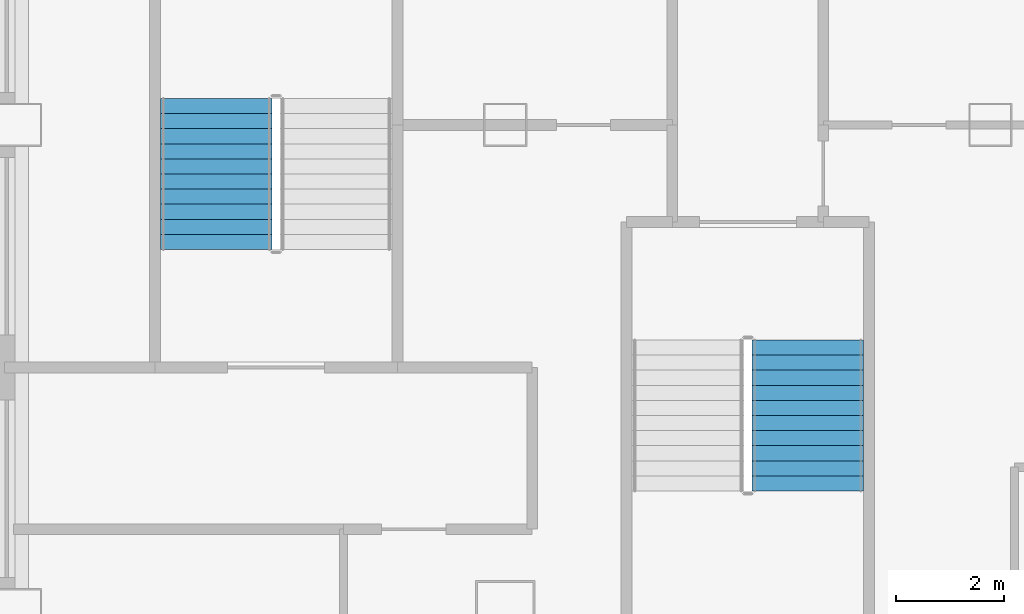
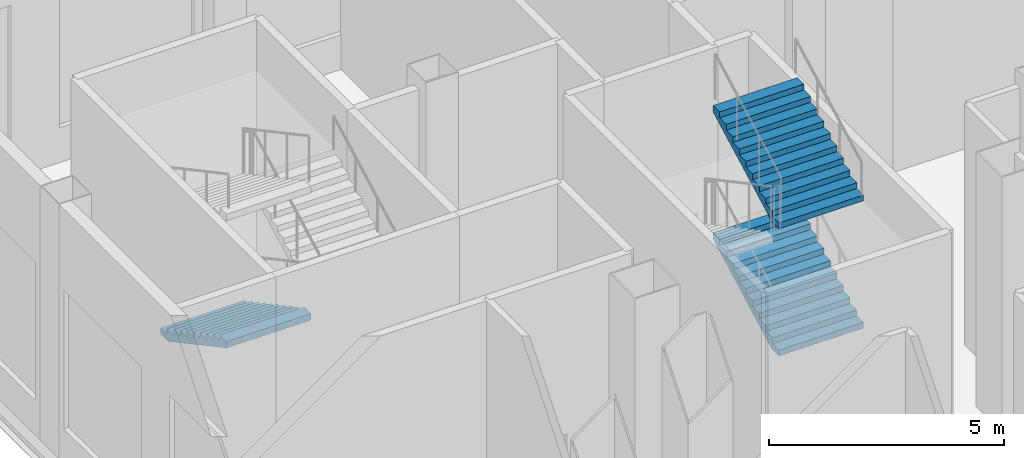
# One storey, part 15 of 26: 3 stair flights, 2 elements without a shape of their own.
"""IFC4 building model written with IfcOpenShell, lengths in metres."""

from ifc_helpers import new_model, si_unit, direction, frame, origin, place, context, subcontext, project, spatial, polygons, material, type_object, element, aggregate, save


model = new_model("IFC4")

# Units and contexts
model_context = context("Model", 3, precision=1e-05, world=origin(), true_north=direction((0.0, 1.0)))
body_context = subcontext(model_context, "Body", "Model", "MODEL_VIEW")
ifc_project = project(units=[si_unit("LENGTHUNIT", "METRE"), si_unit("AREAUNIT", "SQUARE_METRE"), si_unit("VOLUMEUNIT", "CUBIC_METRE"), si_unit("PLANEANGLEUNIT", "RADIAN"), si_unit("MASSUNIT", "GRAM", prefix="KILO")], contexts=[model_context])

# Site, building, storey
site_placement = place(None, origin())
site = spatial("IfcSite", under=ifc_project, at=site_placement, CompositionType="ELEMENT")
building_placement = place(site_placement, origin())
building = spatial("IfcBuilding", under=site, at=building_placement, Name="Caravel Reach Hotel and Residences", CompositionType="ELEMENT")
storey_placement = place(building_placement, frame((0.0, 0.0, 17.39990234375)))
storey = spatial("IfcBuildingStorey", under=building, at=storey_placement, Name="L03", CompositionType="ELEMENT", Elevation=17.39990234375)

# Stair, stair flights
ifc_material_1 = material(Name="Concrete C40", Category="concrete")
stair_type = type_object("IfcStairType", Name="Core stair", PredefinedType="HALF_TURN_STAIR", material=ifc_material_1)
stair_1_placement = place(storey_placement, origin())
stair_1 = element("IfcStair", 1, at=stair_1_placement, inside=storey, type_object=stair_type, Name="L03 Exit stair P1", PredefinedType="HALF_TURN_STAIR")
ifc_material_2 = material(Name="Concrete C40", Category="concrete")
stair_flight_type = type_object("IfcStairFlightType", Name="Core stair flight", PredefinedType="STRAIGHT", material=ifc_material_2)
stair_flight_1_placement = place(storey_placement, frame((10.110107421875, 38.2099609375, 1.650146484375), z_axis=(0.0, 0.0, 1.0), x_axis=(0.0, 1.0, 0.0)))
stair_flight_1 = element("IfcStairFlight", 2, at=stair_flight_1_placement, type_object=stair_flight_type, Name="ST-P1 flight 2", NumberOfRisers=11, NumberOfTreads=10, PredefinedType="STRAIGHT", RiserHeight=0.15, TreadLength=0.28, context=body_context, shape_type="Tessellation", body=[
    polygons([(0.3174408016601862, 1.0350341796875, 0.0), (0.3174408016601862, 0.6900227864583333, 0.0), (0.3174408016601862, 0.34501139322916663, 0.0), (0.3174408016601862, 0.0, 0.0), (0.3174408016601862, -0.34501139322916674, 0.0), (0.3174408016601862, -0.6900227864583333, 0.0), (0.3174408016601862, -1.0350341796875, 0.0), (2.801, 1.0350341796875, 1.329942427682043), (2.801, 0.6900227864583333, 1.329942427682043), (2.801, 0.34501139322916663, 1.329942427682043), (2.801, 0.0, 1.329942427682043), (2.801, -0.34501139322916674, 1.329942427682043), (2.801, -0.6900227864583333, 1.329942427682043), (2.801, -1.0350341796875, 1.329942427682043), (2.801, 1.0350341796875, 1.5), (2.801, 0.6900227864583333, 1.5), (2.801, 0.34501139322916663, 1.5), (2.801, 0.0, 1.5), (2.801, -0.34501139322916674, 1.5), (2.801, -0.6900227864583333, 1.5), (2.801, -1.0350341796875, 1.5), (2.5200000000000005, 1.0350341796875, 1.5), (2.5200000000000005, 0.6900227864583333, 1.5), (2.5200000000000005, 0.34501139322916663, 1.5), (2.5200000000000005, 0.0, 1.5), (2.5200000000000005, -0.34501139322916674, 1.5), (2.5200000000000005, -0.6900227864583333, 1.5), (2.5200000000000005, -1.0350341796875, 1.5), (2.5200000000000005, 1.0350341796875, 1.3499999999999999), (2.5200000000000005, 0.6900227864583333, 1.3499999999999999), (2.5200000000000005, 0.34501139322916663, 1.3499999999999999), (2.5200000000000005, 0.0, 1.3499999999999999), (2.5200000000000005, -0.34501139322916674, 1.3499999999999999), (2.5200000000000005, -0.6900227864583333, 1.3499999999999999), (2.5200000000000005, -1.0350341796875, 1.3499999999999999), (2.24, 1.0350341796875, 1.3499999999999999), (2.24, 0.6900227864583333, 1.3499999999999999), (2.24, 0.34501139322916663, 1.3499999999999999), (2.24, 0.0, 1.3499999999999999), (2.24, -0.34501139322916674, 1.3499999999999999), (2.24, -0.6900227864583333, 1.3499999999999999), (2.24, -1.0350341796875, 1.3499999999999999), (2.24, 1.0350341796875, 1.2), (2.24, 0.6900227864583333, 1.2), (2.24, 0.34501139322916663, 1.2), (2.24, 0.0, 1.2), (2.24, -0.34501139322916674, 1.2), (2.24, -0.6900227864583333, 1.2), (2.24, -1.0350341796875, 1.2), (1.9600000000000002, 1.0350341796875, 1.2), (1.9600000000000002, 0.6900227864583333, 1.2), (1.9600000000000002, 0.34501139322916663, 1.2), (1.9600000000000002, 0.0, 1.2), (1.9600000000000002, -0.34501139322916674, 1.2), (1.9600000000000002, -0.6900227864583333, 1.2), (1.9600000000000002, -1.0350341796875, 1.2), (1.9600000000000002, 1.0350341796875, 1.05), (1.9600000000000002, 0.6900227864583333, 1.05), (1.9600000000000002, 0.34501139322916663, 1.05), (1.9600000000000002, 0.0, 1.05), (1.9600000000000002, -0.34501139322916674, 1.05), (1.9600000000000002, -0.6900227864583333, 1.05), (1.9600000000000002, -1.0350341796875, 1.05), (1.6800000000000002, 1.0350341796875, 1.05), (1.6800000000000002, 0.6900227864583333, 1.05), (1.6800000000000002, 0.34501139322916663, 1.05), (1.6800000000000002, 0.0, 1.05), (1.6800000000000002, -0.34501139322916674, 1.05), (1.6800000000000002, -0.6900227864583333, 1.05), (1.6800000000000002, -1.0350341796875, 1.05), (1.6800000000000002, 1.0350341796875, 0.8999999999999999), (1.6800000000000002, 0.6900227864583333, 0.8999999999999999), (1.6800000000000002, 0.34501139322916663, 0.8999999999999999), (1.6800000000000002, 0.0, 0.8999999999999999), (1.6800000000000002, -0.34501139322916674, 0.8999999999999999), (1.6800000000000002, -0.6900227864583333, 0.8999999999999999), (1.6800000000000002, -1.0350341796875, 0.8999999999999999), (1.4000000000000001, 1.0350341796875, 0.8999999999999999), (1.4000000000000001, 0.6900227864583333, 0.8999999999999999), (1.4000000000000001, 0.34501139322916663, 0.8999999999999999), (1.4000000000000001, 0.0, 0.8999999999999999), (1.4000000000000001, -0.34501139322916674, 0.8999999999999999), (1.4000000000000001, -0.6900227864583333, 0.8999999999999999), (1.4000000000000001, -1.0350341796875, 0.8999999999999999), (1.4000000000000001, 1.0350341796875, 0.75), (1.4000000000000001, 0.6900227864583333, 0.75), (1.4000000000000001, 0.34501139322916663, 0.75), (1.4000000000000001, 0.0, 0.75), (1.4000000000000001, -0.34501139322916674, 0.75), (1.4000000000000001, -0.6900227864583333, 0.75), (1.4000000000000001, -1.0350341796875, 0.75), (1.12, 1.0350341796875, 0.75), (1.12, 0.6900227864583333, 0.75), (1.12, 0.34501139322916663, 0.75), (1.12, 0.0, 0.75), (1.12, -0.34501139322916674, 0.75), (1.12, -0.6900227864583333, 0.75), (1.12, -1.0350341796875, 0.75), (1.12, 1.0350341796875, 0.6), (1.12, 0.6900227864583333, 0.6), (1.12, 0.34501139322916663, 0.6), (1.12, 0.0, 0.6), (1.12, -0.34501139322916674, 0.6), (1.12, -0.6900227864583333, 0.6), (1.12, -1.0350341796875, 0.6), (0.8400000000000001, 1.0350341796875, 0.6), (0.8400000000000001, 0.6900227864583333, 0.6), (0.8400000000000001, 0.34501139322916663, 0.6), (0.8400000000000001, 0.0, 0.6), (0.8400000000000001, -0.34501139322916674, 0.6), (0.8400000000000001, -0.6900227864583333, 0.6), (0.8400000000000001, -1.0350341796875, 0.6), (0.8400000000000001, 1.0350341796875, 0.44999999999999996), (0.8400000000000001, 0.6900227864583333, 0.44999999999999996), (0.8400000000000001, 0.34501139322916663, 0.44999999999999996), (0.8400000000000001, 0.0, 0.44999999999999996), (0.8400000000000001, -0.34501139322916674, 0.44999999999999996), (0.8400000000000001, -0.6900227864583333, 0.44999999999999996), (0.8400000000000001, -1.0350341796875, 0.44999999999999996), (0.56, 1.0350341796875, 0.44999999999999996), (0.56, 0.6900227864583333, 0.44999999999999996), (0.56, 0.34501139322916663, 0.44999999999999996), (0.56, 0.0, 0.44999999999999996), (0.56, -0.34501139322916674, 0.44999999999999996), (0.56, -0.6900227864583333, 0.44999999999999996), (0.56, -1.0350341796875, 0.44999999999999996), (0.56, 1.0350341796875, 0.3), (0.56, 0.6900227864583333, 0.3), (0.56, 0.34501139322916663, 0.3), (0.56, 0.0, 0.3), (0.56, -0.34501139322916674, 0.3), (0.56, -0.6900227864583333, 0.3), (0.56, -1.0350341796875, 0.3), (0.28, 1.0350341796875, 0.3), (0.28, 0.6900227864583333, 0.3), (0.28, 0.34501139322916663, 0.3), (0.28, 0.0, 0.3), (0.28, -0.34501139322916674, 0.3), (0.28, -0.6900227864583333, 0.3), (0.28, -1.0350341796875, 0.3), (0.28, 1.0350341796875, 0.15), (0.28, 0.6900227864583333, 0.15), (0.28, 0.34501139322916663, 0.15), (0.28, 0.0, 0.15), (0.28, -0.34501139322916674, 0.15), (0.28, -0.6900227864583333, 0.15), (0.28, -1.0350341796875, 0.15), (-0.001, 1.0350341796875, 0.15), (-0.001, 0.6900227864583333, 0.15), (-0.001, 0.34501139322916663, 0.15), (-0.001, 0.0, 0.15), (-0.001, -0.34501139322916674, 0.15), (-0.001, -0.6900227864583333, 0.15), (-0.001, -1.0350341796875, 0.15), (-0.001, 1.0350341796875, 0.0), (-0.001, 0.6900227864583333, 0.0), (-0.001, 0.34501139322916663, 0.0), (-0.001, 0.0, 0.0), (-0.001, -0.34501139322916674, 0.0), (-0.001, -0.6900227864583333, 0.0), (-0.001, -1.0350341796875, 0.0)], [[[155, 148, 141, 134, 127, 120, 113, 106, 99, 92, 85, 78, 71, 64, 57, 50, 43, 36, 29, 22, 15, 8, 1]], [[7, 14, 21, 28, 35, 42, 49, 56, 63, 70, 77, 84, 91, 98, 105, 112, 119, 126, 133, 140, 147, 154, 161]], [[1, 8, 9, 2]], [[2, 9, 10, 3]], [[3, 10, 11, 4]], [[4, 11, 12, 5]], [[5, 12, 13, 6]], [[6, 13, 14, 7]], [[8, 15, 16, 9]], [[9, 16, 17, 10]], [[10, 17, 18, 11]], [[11, 18, 19, 12]], [[12, 19, 20, 13]], [[13, 20, 21, 14]], [[15, 22, 23, 16]], [[16, 23, 24, 17]], [[17, 24, 25, 18]], [[18, 25, 26, 19]], [[19, 26, 27, 20]], [[20, 27, 28, 21]], [[22, 29, 30, 23]], [[23, 30, 31, 24]], [[24, 31, 32, 25]], [[25, 32, 33, 26]], [[26, 33, 34, 27]], [[27, 34, 35, 28]], [[29, 36, 37, 30]], [[30, 37, 38, 31]], [[31, 38, 39, 32]], [[32, 39, 40, 33]], [[33, 40, 41, 34]], [[34, 41, 42, 35]], [[36, 43, 44, 37]], [[37, 44, 45, 38]], [[38, 45, 46, 39]], [[39, 46, 47, 40]], [[40, 47, 48, 41]], [[41, 48, 49, 42]], [[43, 50, 51, 44]], [[44, 51, 52, 45]], [[45, 52, 53, 46]], [[46, 53, 54, 47]], [[47, 54, 55, 48]], [[48, 55, 56, 49]], [[50, 57, 58, 51]], [[51, 58, 59, 52]], [[52, 59, 60, 53]], [[53, 60, 61, 54]], [[54, 61, 62, 55]], [[55, 62, 63, 56]], [[57, 64, 65, 58]], [[58, 65, 66, 59]], [[59, 66, 67, 60]], [[60, 67, 68, 61]], [[61, 68, 69, 62]], [[62, 69, 70, 63]], [[64, 71, 72, 65]], [[65, 72, 73, 66]], [[66, 73, 74, 67]], [[67, 74, 75, 68]], [[68, 75, 76, 69]], [[69, 76, 77, 70]], [[71, 78, 79, 72]], [[72, 79, 80, 73]], [[73, 80, 81, 74]], [[74, 81, 82, 75]], [[75, 82, 83, 76]], [[76, 83, 84, 77]], [[78, 85, 86, 79]], [[79, 86, 87, 80]], [[80, 87, 88, 81]], [[81, 88, 89, 82]], [[82, 89, 90, 83]], [[83, 90, 91, 84]], [[85, 92, 93, 86]], [[86, 93, 94, 87]], [[87, 94, 95, 88]], [[88, 95, 96, 89]], [[89, 96, 97, 90]], [[90, 97, 98, 91]], [[92, 99, 100, 93]], [[93, 100, 101, 94]], [[94, 101, 102, 95]], [[95, 102, 103, 96]], [[96, 103, 104, 97]], [[97, 104, 105, 98]], [[99, 106, 107, 100]], [[100, 107, 108, 101]], [[101, 108, 109, 102]], [[102, 109, 110, 103]], [[103, 110, 111, 104]], [[104, 111, 112, 105]], [[106, 113, 114, 107]], [[107, 114, 115, 108]], [[108, 115, 116, 109]], [[109, 116, 117, 110]], [[110, 117, 118, 111]], [[111, 118, 119, 112]], [[113, 120, 121, 114]], [[114, 121, 122, 115]], [[115, 122, 123, 116]], [[116, 123, 124, 117]], [[117, 124, 125, 118]], [[118, 125, 126, 119]], [[120, 127, 128, 121]], [[121, 128, 129, 122]], [[122, 129, 130, 123]], [[123, 130, 131, 124]], [[124, 131, 132, 125]], [[125, 132, 133, 126]], [[127, 134, 135, 128]], [[128, 135, 136, 129]], [[129, 136, 137, 130]], [[130, 137, 138, 131]], [[131, 138, 139, 132]], [[132, 139, 140, 133]], [[134, 141, 142, 135]], [[135, 142, 143, 136]], [[136, 143, 144, 137]], [[137, 144, 145, 138]], [[138, 145, 146, 139]], [[139, 146, 147, 140]], [[141, 148, 149, 142]], [[142, 149, 150, 143]], [[143, 150, 151, 144]], [[144, 151, 152, 145]], [[145, 152, 153, 146]], [[146, 153, 154, 147]], [[148, 155, 156, 149]], [[149, 156, 157, 150]], [[150, 157, 158, 151]], [[151, 158, 159, 152]], [[152, 159, 160, 153]], [[153, 160, 161, 154]], [[155, 1, 2, 156]], [[156, 2, 3, 157]], [[157, 3, 4, 158]], [[158, 4, 5, 159]], [[159, 5, 6, 160]], [[160, 6, 7, 161]]], closed=True),
])
stair_flight_2_placement = place(storey_placement, frame((10.110107421875, 38.2099609375, 4.9501953125), z_axis=(0.0, 0.0, 1.0), x_axis=(0.0, 1.0, 0.0)))
stair_flight_2 = element("IfcStairFlight", 3, at=stair_flight_2_placement, type_object=stair_flight_type, Name="ST-P1 flight 4", NumberOfRisers=11, NumberOfTreads=10, PredefinedType="STRAIGHT", RiserHeight=0.15, TreadLength=0.28, context=body_context, shape_type="Tessellation", body=[
    polygons([(0.3174408016601862, 1.0350341796875, 0.0), (0.3174408016601862, 0.6900227864583333, 0.0), (0.3174408016601862, 0.34501139322916663, 0.0), (0.3174408016601862, 0.0, 0.0), (0.3174408016601862, -0.34501139322916674, 0.0), (0.3174408016601862, -0.6900227864583333, 0.0), (0.3174408016601862, -1.0350341796875, 0.0), (2.801, 1.0350341796875, 1.329942427682043), (2.801, 0.6900227864583333, 1.329942427682043), (2.801, 0.34501139322916663, 1.329942427682043), (2.801, 0.0, 1.329942427682043), (2.801, -0.34501139322916674, 1.329942427682043), (2.801, -0.6900227864583333, 1.329942427682043), (2.801, -1.0350341796875, 1.329942427682043), (2.801, 1.0350341796875, 1.5), (2.801, 0.6900227864583333, 1.5), (2.801, 0.34501139322916663, 1.5), (2.801, 0.0, 1.5), (2.801, -0.34501139322916674, 1.5), (2.801, -0.6900227864583333, 1.5), (2.801, -1.0350341796875, 1.5), (2.5200000000000005, 1.0350341796875, 1.5), (2.5200000000000005, 0.6900227864583333, 1.5), (2.5200000000000005, 0.34501139322916663, 1.5), (2.5200000000000005, 0.0, 1.5), (2.5200000000000005, -0.34501139322916674, 1.5), (2.5200000000000005, -0.6900227864583333, 1.5), (2.5200000000000005, -1.0350341796875, 1.5), (2.5200000000000005, 1.0350341796875, 1.3499999999999999), (2.5200000000000005, 0.6900227864583333, 1.3499999999999999), (2.5200000000000005, 0.34501139322916663, 1.3499999999999999), (2.5200000000000005, 0.0, 1.3499999999999999), (2.5200000000000005, -0.34501139322916674, 1.3499999999999999), (2.5200000000000005, -0.6900227864583333, 1.3499999999999999), (2.5200000000000005, -1.0350341796875, 1.3499999999999999), (2.24, 1.0350341796875, 1.3499999999999999), (2.24, 0.6900227864583333, 1.3499999999999999), (2.24, 0.34501139322916663, 1.3499999999999999), (2.24, 0.0, 1.3499999999999999), (2.24, -0.34501139322916674, 1.3499999999999999), (2.24, -0.6900227864583333, 1.3499999999999999), (2.24, -1.0350341796875, 1.3499999999999999), (2.24, 1.0350341796875, 1.2), (2.24, 0.6900227864583333, 1.2), (2.24, 0.34501139322916663, 1.2), (2.24, 0.0, 1.2), (2.24, -0.34501139322916674, 1.2), (2.24, -0.6900227864583333, 1.2), (2.24, -1.0350341796875, 1.2), (1.9600000000000002, 1.0350341796875, 1.2), (1.9600000000000002, 0.6900227864583333, 1.2), (1.9600000000000002, 0.34501139322916663, 1.2), (1.9600000000000002, 0.0, 1.2), (1.9600000000000002, -0.34501139322916674, 1.2), (1.9600000000000002, -0.6900227864583333, 1.2), (1.9600000000000002, -1.0350341796875, 1.2), (1.9600000000000002, 1.0350341796875, 1.05), (1.9600000000000002, 0.6900227864583333, 1.05), (1.9600000000000002, 0.34501139322916663, 1.05), (1.9600000000000002, 0.0, 1.05), (1.9600000000000002, -0.34501139322916674, 1.05), (1.9600000000000002, -0.6900227864583333, 1.05), (1.9600000000000002, -1.0350341796875, 1.05), (1.6800000000000002, 1.0350341796875, 1.05), (1.6800000000000002, 0.6900227864583333, 1.05), (1.6800000000000002, 0.34501139322916663, 1.05), (1.6800000000000002, 0.0, 1.05), (1.6800000000000002, -0.34501139322916674, 1.05), (1.6800000000000002, -0.6900227864583333, 1.05), (1.6800000000000002, -1.0350341796875, 1.05), (1.6800000000000002, 1.0350341796875, 0.8999999999999999), (1.6800000000000002, 0.6900227864583333, 0.8999999999999999), (1.6800000000000002, 0.34501139322916663, 0.8999999999999999), (1.6800000000000002, 0.0, 0.8999999999999999), (1.6800000000000002, -0.34501139322916674, 0.8999999999999999), (1.6800000000000002, -0.6900227864583333, 0.8999999999999999), (1.6800000000000002, -1.0350341796875, 0.8999999999999999), (1.4000000000000001, 1.0350341796875, 0.8999999999999999), (1.4000000000000001, 0.6900227864583333, 0.8999999999999999), (1.4000000000000001, 0.34501139322916663, 0.8999999999999999), (1.4000000000000001, 0.0, 0.8999999999999999), (1.4000000000000001, -0.34501139322916674, 0.8999999999999999), (1.4000000000000001, -0.6900227864583333, 0.8999999999999999), (1.4000000000000001, -1.0350341796875, 0.8999999999999999), (1.4000000000000001, 1.0350341796875, 0.75), (1.4000000000000001, 0.6900227864583333, 0.75), (1.4000000000000001, 0.34501139322916663, 0.75), (1.4000000000000001, 0.0, 0.75), (1.4000000000000001, -0.34501139322916674, 0.75), (1.4000000000000001, -0.6900227864583333, 0.75), (1.4000000000000001, -1.0350341796875, 0.75), (1.12, 1.0350341796875, 0.75), (1.12, 0.6900227864583333, 0.75), (1.12, 0.34501139322916663, 0.75), (1.12, 0.0, 0.75), (1.12, -0.34501139322916674, 0.75), (1.12, -0.6900227864583333, 0.75), (1.12, -1.0350341796875, 0.75), (1.12, 1.0350341796875, 0.6), (1.12, 0.6900227864583333, 0.6), (1.12, 0.34501139322916663, 0.6), (1.12, 0.0, 0.6), (1.12, -0.34501139322916674, 0.6), (1.12, -0.6900227864583333, 0.6), (1.12, -1.0350341796875, 0.6), (0.8400000000000001, 1.0350341796875, 0.6), (0.8400000000000001, 0.6900227864583333, 0.6), (0.8400000000000001, 0.34501139322916663, 0.6), (0.8400000000000001, 0.0, 0.6), (0.8400000000000001, -0.34501139322916674, 0.6), (0.8400000000000001, -0.6900227864583333, 0.6), (0.8400000000000001, -1.0350341796875, 0.6), (0.8400000000000001, 1.0350341796875, 0.44999999999999996), (0.8400000000000001, 0.6900227864583333, 0.44999999999999996), (0.8400000000000001, 0.34501139322916663, 0.44999999999999996), (0.8400000000000001, 0.0, 0.44999999999999996), (0.8400000000000001, -0.34501139322916674, 0.44999999999999996), (0.8400000000000001, -0.6900227864583333, 0.44999999999999996), (0.8400000000000001, -1.0350341796875, 0.44999999999999996), (0.56, 1.0350341796875, 0.44999999999999996), (0.56, 0.6900227864583333, 0.44999999999999996), (0.56, 0.34501139322916663, 0.44999999999999996), (0.56, 0.0, 0.44999999999999996), (0.56, -0.34501139322916674, 0.44999999999999996), (0.56, -0.6900227864583333, 0.44999999999999996), (0.56, -1.0350341796875, 0.44999999999999996), (0.56, 1.0350341796875, 0.3), (0.56, 0.6900227864583333, 0.3), (0.56, 0.34501139322916663, 0.3), (0.56, 0.0, 0.3), (0.56, -0.34501139322916674, 0.3), (0.56, -0.6900227864583333, 0.3), (0.56, -1.0350341796875, 0.3), (0.28, 1.0350341796875, 0.3), (0.28, 0.6900227864583333, 0.3), (0.28, 0.34501139322916663, 0.3), (0.28, 0.0, 0.3), (0.28, -0.34501139322916674, 0.3), (0.28, -0.6900227864583333, 0.3), (0.28, -1.0350341796875, 0.3), (0.28, 1.0350341796875, 0.15), (0.28, 0.6900227864583333, 0.15), (0.28, 0.34501139322916663, 0.15), (0.28, 0.0, 0.15), (0.28, -0.34501139322916674, 0.15), (0.28, -0.6900227864583333, 0.15), (0.28, -1.0350341796875, 0.15), (-0.001, 1.0350341796875, 0.15), (-0.001, 0.6900227864583333, 0.15), (-0.001, 0.34501139322916663, 0.15), (-0.001, 0.0, 0.15), (-0.001, -0.34501139322916674, 0.15), (-0.001, -0.6900227864583333, 0.15), (-0.001, -1.0350341796875, 0.15), (-0.001, 1.0350341796875, 0.0), (-0.001, 0.6900227864583333, 0.0), (-0.001, 0.34501139322916663, 0.0), (-0.001, 0.0, 0.0), (-0.001, -0.34501139322916674, 0.0), (-0.001, -0.6900227864583333, 0.0), (-0.001, -1.0350341796875, 0.0)], [[[155, 148, 141, 134, 127, 120, 113, 106, 99, 92, 85, 78, 71, 64, 57, 50, 43, 36, 29, 22, 15, 8, 1]], [[7, 14, 21, 28, 35, 42, 49, 56, 63, 70, 77, 84, 91, 98, 105, 112, 119, 126, 133, 140, 147, 154, 161]], [[1, 8, 9, 2]], [[2, 9, 10, 3]], [[3, 10, 11, 4]], [[4, 11, 12, 5]], [[5, 12, 13, 6]], [[6, 13, 14, 7]], [[8, 15, 16, 9]], [[9, 16, 17, 10]], [[10, 17, 18, 11]], [[11, 18, 19, 12]], [[12, 19, 20, 13]], [[13, 20, 21, 14]], [[15, 22, 23, 16]], [[16, 23, 24, 17]], [[17, 24, 25, 18]], [[18, 25, 26, 19]], [[19, 26, 27, 20]], [[20, 27, 28, 21]], [[22, 29, 30, 23]], [[23, 30, 31, 24]], [[24, 31, 32, 25]], [[25, 32, 33, 26]], [[26, 33, 34, 27]], [[27, 34, 35, 28]], [[29, 36, 37, 30]], [[30, 37, 38, 31]], [[31, 38, 39, 32]], [[32, 39, 40, 33]], [[33, 40, 41, 34]], [[34, 41, 42, 35]], [[36, 43, 44, 37]], [[37, 44, 45, 38]], [[38, 45, 46, 39]], [[39, 46, 47, 40]], [[40, 47, 48, 41]], [[41, 48, 49, 42]], [[43, 50, 51, 44]], [[44, 51, 52, 45]], [[45, 52, 53, 46]], [[46, 53, 54, 47]], [[47, 54, 55, 48]], [[48, 55, 56, 49]], [[50, 57, 58, 51]], [[51, 58, 59, 52]], [[52, 59, 60, 53]], [[53, 60, 61, 54]], [[54, 61, 62, 55]], [[55, 62, 63, 56]], [[57, 64, 65, 58]], [[58, 65, 66, 59]], [[59, 66, 67, 60]], [[60, 67, 68, 61]], [[61, 68, 69, 62]], [[62, 69, 70, 63]], [[64, 71, 72, 65]], [[65, 72, 73, 66]], [[66, 73, 74, 67]], [[67, 74, 75, 68]], [[68, 75, 76, 69]], [[69, 76, 77, 70]], [[71, 78, 79, 72]], [[72, 79, 80, 73]], [[73, 80, 81, 74]], [[74, 81, 82, 75]], [[75, 82, 83, 76]], [[76, 83, 84, 77]], [[78, 85, 86, 79]], [[79, 86, 87, 80]], [[80, 87, 88, 81]], [[81, 88, 89, 82]], [[82, 89, 90, 83]], [[83, 90, 91, 84]], [[85, 92, 93, 86]], [[86, 93, 94, 87]], [[87, 94, 95, 88]], [[88, 95, 96, 89]], [[89, 96, 97, 90]], [[90, 97, 98, 91]], [[92, 99, 100, 93]], [[93, 100, 101, 94]], [[94, 101, 102, 95]], [[95, 102, 103, 96]], [[96, 103, 104, 97]], [[97, 104, 105, 98]], [[99, 106, 107, 100]], [[100, 107, 108, 101]], [[101, 108, 109, 102]], [[102, 109, 110, 103]], [[103, 110, 111, 104]], [[104, 111, 112, 105]], [[106, 113, 114, 107]], [[107, 114, 115, 108]], [[108, 115, 116, 109]], [[109, 116, 117, 110]], [[110, 117, 118, 111]], [[111, 118, 119, 112]], [[113, 120, 121, 114]], [[114, 121, 122, 115]], [[115, 122, 123, 116]], [[116, 123, 124, 117]], [[117, 124, 125, 118]], [[118, 125, 126, 119]], [[120, 127, 128, 121]], [[121, 128, 129, 122]], [[122, 129, 130, 123]], [[123, 130, 131, 124]], [[124, 131, 132, 125]], [[125, 132, 133, 126]], [[127, 134, 135, 128]], [[128, 135, 136, 129]], [[129, 136, 137, 130]], [[130, 137, 138, 131]], [[131, 138, 139, 132]], [[132, 139, 140, 133]], [[134, 141, 142, 135]], [[135, 142, 143, 136]], [[136, 143, 144, 137]], [[137, 144, 145, 138]], [[138, 145, 146, 139]], [[139, 146, 147, 140]], [[141, 148, 149, 142]], [[142, 149, 150, 143]], [[143, 150, 151, 144]], [[144, 151, 152, 145]], [[145, 152, 153, 146]], [[146, 153, 154, 147]], [[148, 155, 156, 149]], [[149, 156, 157, 150]], [[150, 157, 158, 151]], [[151, 158, 159, 152]], [[152, 159, 160, 153]], [[153, 160, 161, 154]], [[155, 1, 2, 156]], [[156, 2, 3, 157]], [[157, 3, 4, 158]], [[158, 4, 5, 159]], [[159, 5, 6, 160]], [[160, 6, 7, 161]]], closed=True),
])
aggregate(stair_1, [stair_flight_1, stair_flight_2])

# Stair, stair flight
stair_2_placement = place(storey_placement, origin())
stair_2 = element("IfcStair", 4, at=stair_2_placement, inside=storey, type_object=stair_type, Name="L03 Exit stair P5", PredefinedType="HALF_TURN_STAIR")
stair_flight_3_placement = place(storey_placement, frame((-0.860107421875, 45.489990234375, 1.650146484375), z_axis=(0.0, 0.0, 1.0), x_axis=(0.0, -1.0, 0.0)))
stair_flight_3 = element("IfcStairFlight", 5, at=stair_flight_3_placement, type_object=stair_flight_type, Name="ST-P5 flight 2", NumberOfRisers=11, NumberOfTreads=10, PredefinedType="STRAIGHT", RiserHeight=0.15, TreadLength=0.28, context=body_context, shape_type="Tessellation", body=[
    polygons([(0.3174408016601862, 1.0350341796875, 0.0), (0.3174408016601862, 0.6900227864583333, 0.0), (0.3174408016601862, 0.34501139322916663, 0.0), (0.3174408016601862, 0.0, 0.0), (0.3174408016601862, -0.34501139322916674, 0.0), (0.3174408016601862, -0.6900227864583333, 0.0), (0.3174408016601862, -1.0350341796875, 0.0), (2.801, 1.0350341796875, 1.329942427682043), (2.801, 0.6900227864583333, 1.329942427682043), (2.801, 0.34501139322916663, 1.329942427682043), (2.801, 0.0, 1.329942427682043), (2.801, -0.34501139322916674, 1.329942427682043), (2.801, -0.6900227864583333, 1.329942427682043), (2.801, -1.0350341796875, 1.329942427682043), (2.801, 1.0350341796875, 1.5), (2.801, 0.6900227864583333, 1.5), (2.801, 0.34501139322916663, 1.5), (2.801, 0.0, 1.5), (2.801, -0.34501139322916674, 1.5), (2.801, -0.6900227864583333, 1.5), (2.801, -1.0350341796875, 1.5), (2.5200000000000005, 1.0350341796875, 1.5), (2.5200000000000005, 0.6900227864583333, 1.5), (2.5200000000000005, 0.34501139322916663, 1.5), (2.5200000000000005, 0.0, 1.5), (2.5200000000000005, -0.34501139322916674, 1.5), (2.5200000000000005, -0.6900227864583333, 1.5), (2.5200000000000005, -1.0350341796875, 1.5), (2.5200000000000005, 1.0350341796875, 1.3499999999999999), (2.5200000000000005, 0.6900227864583333, 1.3499999999999999), (2.5200000000000005, 0.34501139322916663, 1.3499999999999999), (2.5200000000000005, 0.0, 1.3499999999999999), (2.5200000000000005, -0.34501139322916674, 1.3499999999999999), (2.5200000000000005, -0.6900227864583333, 1.3499999999999999), (2.5200000000000005, -1.0350341796875, 1.3499999999999999), (2.24, 1.0350341796875, 1.3499999999999999), (2.24, 0.6900227864583333, 1.3499999999999999), (2.24, 0.34501139322916663, 1.3499999999999999), (2.24, 0.0, 1.3499999999999999), (2.24, -0.34501139322916674, 1.3499999999999999), (2.24, -0.6900227864583333, 1.3499999999999999), (2.24, -1.0350341796875, 1.3499999999999999), (2.24, 1.0350341796875, 1.2), (2.24, 0.6900227864583333, 1.2), (2.24, 0.34501139322916663, 1.2), (2.24, 0.0, 1.2), (2.24, -0.34501139322916674, 1.2), (2.24, -0.6900227864583333, 1.2), (2.24, -1.0350341796875, 1.2), (1.9600000000000002, 1.0350341796875, 1.2), (1.9600000000000002, 0.6900227864583333, 1.2), (1.9600000000000002, 0.34501139322916663, 1.2), (1.9600000000000002, 0.0, 1.2), (1.9600000000000002, -0.34501139322916674, 1.2), (1.9600000000000002, -0.6900227864583333, 1.2), (1.9600000000000002, -1.0350341796875, 1.2), (1.9600000000000002, 1.0350341796875, 1.05), (1.9600000000000002, 0.6900227864583333, 1.05), (1.9600000000000002, 0.34501139322916663, 1.05), (1.9600000000000002, 0.0, 1.05), (1.9600000000000002, -0.34501139322916674, 1.05), (1.9600000000000002, -0.6900227864583333, 1.05), (1.9600000000000002, -1.0350341796875, 1.05), (1.6800000000000002, 1.0350341796875, 1.05), (1.6800000000000002, 0.6900227864583333, 1.05), (1.6800000000000002, 0.34501139322916663, 1.05), (1.6800000000000002, 0.0, 1.05), (1.6800000000000002, -0.34501139322916674, 1.05), (1.6800000000000002, -0.6900227864583333, 1.05), (1.6800000000000002, -1.0350341796875, 1.05), (1.6800000000000002, 1.0350341796875, 0.8999999999999999), (1.6800000000000002, 0.6900227864583333, 0.8999999999999999), (1.6800000000000002, 0.34501139322916663, 0.8999999999999999), (1.6800000000000002, 0.0, 0.8999999999999999), (1.6800000000000002, -0.34501139322916674, 0.8999999999999999), (1.6800000000000002, -0.6900227864583333, 0.8999999999999999), (1.6800000000000002, -1.0350341796875, 0.8999999999999999), (1.4000000000000001, 1.0350341796875, 0.8999999999999999), (1.4000000000000001, 0.6900227864583333, 0.8999999999999999), (1.4000000000000001, 0.34501139322916663, 0.8999999999999999), (1.4000000000000001, 0.0, 0.8999999999999999), (1.4000000000000001, -0.34501139322916674, 0.8999999999999999), (1.4000000000000001, -0.6900227864583333, 0.8999999999999999), (1.4000000000000001, -1.0350341796875, 0.8999999999999999), (1.4000000000000001, 1.0350341796875, 0.75), (1.4000000000000001, 0.6900227864583333, 0.75), (1.4000000000000001, 0.34501139322916663, 0.75), (1.4000000000000001, 0.0, 0.75), (1.4000000000000001, -0.34501139322916674, 0.75), (1.4000000000000001, -0.6900227864583333, 0.75), (1.4000000000000001, -1.0350341796875, 0.75), (1.12, 1.0350341796875, 0.75), (1.12, 0.6900227864583333, 0.75), (1.12, 0.34501139322916663, 0.75), (1.12, 0.0, 0.75), (1.12, -0.34501139322916674, 0.75), (1.12, -0.6900227864583333, 0.75), (1.12, -1.0350341796875, 0.75), (1.12, 1.0350341796875, 0.6), (1.12, 0.6900227864583333, 0.6), (1.12, 0.34501139322916663, 0.6), (1.12, 0.0, 0.6), (1.12, -0.34501139322916674, 0.6), (1.12, -0.6900227864583333, 0.6), (1.12, -1.0350341796875, 0.6), (0.8400000000000001, 1.0350341796875, 0.6), (0.8400000000000001, 0.6900227864583333, 0.6), (0.8400000000000001, 0.34501139322916663, 0.6), (0.8400000000000001, 0.0, 0.6), (0.8400000000000001, -0.34501139322916674, 0.6), (0.8400000000000001, -0.6900227864583333, 0.6), (0.8400000000000001, -1.0350341796875, 0.6), (0.8400000000000001, 1.0350341796875, 0.44999999999999996), (0.8400000000000001, 0.6900227864583333, 0.44999999999999996), (0.8400000000000001, 0.34501139322916663, 0.44999999999999996), (0.8400000000000001, 0.0, 0.44999999999999996), (0.8400000000000001, -0.34501139322916674, 0.44999999999999996), (0.8400000000000001, -0.6900227864583333, 0.44999999999999996), (0.8400000000000001, -1.0350341796875, 0.44999999999999996), (0.56, 1.0350341796875, 0.44999999999999996), (0.56, 0.6900227864583333, 0.44999999999999996), (0.56, 0.34501139322916663, 0.44999999999999996), (0.56, 0.0, 0.44999999999999996), (0.56, -0.34501139322916674, 0.44999999999999996), (0.56, -0.6900227864583333, 0.44999999999999996), (0.56, -1.0350341796875, 0.44999999999999996), (0.56, 1.0350341796875, 0.3), (0.56, 0.6900227864583333, 0.3), (0.56, 0.34501139322916663, 0.3), (0.56, 0.0, 0.3), (0.56, -0.34501139322916674, 0.3), (0.56, -0.6900227864583333, 0.3), (0.56, -1.0350341796875, 0.3), (0.28, 1.0350341796875, 0.3), (0.28, 0.6900227864583333, 0.3), (0.28, 0.34501139322916663, 0.3), (0.28, 0.0, 0.3), (0.28, -0.34501139322916674, 0.3), (0.28, -0.6900227864583333, 0.3), (0.28, -1.0350341796875, 0.3), (0.28, 1.0350341796875, 0.15), (0.28, 0.6900227864583333, 0.15), (0.28, 0.34501139322916663, 0.15), (0.28, 0.0, 0.15), (0.28, -0.34501139322916674, 0.15), (0.28, -0.6900227864583333, 0.15), (0.28, -1.0350341796875, 0.15), (-0.001, 1.0350341796875, 0.15), (-0.001, 0.6900227864583333, 0.15), (-0.001, 0.34501139322916663, 0.15), (-0.001, 0.0, 0.15), (-0.001, -0.34501139322916674, 0.15), (-0.001, -0.6900227864583333, 0.15), (-0.001, -1.0350341796875, 0.15), (-0.001, 1.0350341796875, 0.0), (-0.001, 0.6900227864583333, 0.0), (-0.001, 0.34501139322916663, 0.0), (-0.001, 0.0, 0.0), (-0.001, -0.34501139322916674, 0.0), (-0.001, -0.6900227864583333, 0.0), (-0.001, -1.0350341796875, 0.0)], [[[155, 148, 141, 134, 127, 120, 113, 106, 99, 92, 85, 78, 71, 64, 57, 50, 43, 36, 29, 22, 15, 8, 1]], [[7, 14, 21, 28, 35, 42, 49, 56, 63, 70, 77, 84, 91, 98, 105, 112, 119, 126, 133, 140, 147, 154, 161]], [[1, 8, 9, 2]], [[2, 9, 10, 3]], [[3, 10, 11, 4]], [[4, 11, 12, 5]], [[5, 12, 13, 6]], [[6, 13, 14, 7]], [[8, 15, 16, 9]], [[9, 16, 17, 10]], [[10, 17, 18, 11]], [[11, 18, 19, 12]], [[12, 19, 20, 13]], [[13, 20, 21, 14]], [[15, 22, 23, 16]], [[16, 23, 24, 17]], [[17, 24, 25, 18]], [[18, 25, 26, 19]], [[19, 26, 27, 20]], [[20, 27, 28, 21]], [[22, 29, 30, 23]], [[23, 30, 31, 24]], [[24, 31, 32, 25]], [[25, 32, 33, 26]], [[26, 33, 34, 27]], [[27, 34, 35, 28]], [[29, 36, 37, 30]], [[30, 37, 38, 31]], [[31, 38, 39, 32]], [[32, 39, 40, 33]], [[33, 40, 41, 34]], [[34, 41, 42, 35]], [[36, 43, 44, 37]], [[37, 44, 45, 38]], [[38, 45, 46, 39]], [[39, 46, 47, 40]], [[40, 47, 48, 41]], [[41, 48, 49, 42]], [[43, 50, 51, 44]], [[44, 51, 52, 45]], [[45, 52, 53, 46]], [[46, 53, 54, 47]], [[47, 54, 55, 48]], [[48, 55, 56, 49]], [[50, 57, 58, 51]], [[51, 58, 59, 52]], [[52, 59, 60, 53]], [[53, 60, 61, 54]], [[54, 61, 62, 55]], [[55, 62, 63, 56]], [[57, 64, 65, 58]], [[58, 65, 66, 59]], [[59, 66, 67, 60]], [[60, 67, 68, 61]], [[61, 68, 69, 62]], [[62, 69, 70, 63]], [[64, 71, 72, 65]], [[65, 72, 73, 66]], [[66, 73, 74, 67]], [[67, 74, 75, 68]], [[68, 75, 76, 69]], [[69, 76, 77, 70]], [[71, 78, 79, 72]], [[72, 79, 80, 73]], [[73, 80, 81, 74]], [[74, 81, 82, 75]], [[75, 82, 83, 76]], [[76, 83, 84, 77]], [[78, 85, 86, 79]], [[79, 86, 87, 80]], [[80, 87, 88, 81]], [[81, 88, 89, 82]], [[82, 89, 90, 83]], [[83, 90, 91, 84]], [[85, 92, 93, 86]], [[86, 93, 94, 87]], [[87, 94, 95, 88]], [[88, 95, 96, 89]], [[89, 96, 97, 90]], [[90, 97, 98, 91]], [[92, 99, 100, 93]], [[93, 100, 101, 94]], [[94, 101, 102, 95]], [[95, 102, 103, 96]], [[96, 103, 104, 97]], [[97, 104, 105, 98]], [[99, 106, 107, 100]], [[100, 107, 108, 101]], [[101, 108, 109, 102]], [[102, 109, 110, 103]], [[103, 110, 111, 104]], [[104, 111, 112, 105]], [[106, 113, 114, 107]], [[107, 114, 115, 108]], [[108, 115, 116, 109]], [[109, 116, 117, 110]], [[110, 117, 118, 111]], [[111, 118, 119, 112]], [[113, 120, 121, 114]], [[114, 121, 122, 115]], [[115, 122, 123, 116]], [[116, 123, 124, 117]], [[117, 124, 125, 118]], [[118, 125, 126, 119]], [[120, 127, 128, 121]], [[121, 128, 129, 122]], [[122, 129, 130, 123]], [[123, 130, 131, 124]], [[124, 131, 132, 125]], [[125, 132, 133, 126]], [[127, 134, 135, 128]], [[128, 135, 136, 129]], [[129, 136, 137, 130]], [[130, 137, 138, 131]], [[131, 138, 139, 132]], [[132, 139, 140, 133]], [[134, 141, 142, 135]], [[135, 142, 143, 136]], [[136, 143, 144, 137]], [[137, 144, 145, 138]], [[138, 145, 146, 139]], [[139, 146, 147, 140]], [[141, 148, 149, 142]], [[142, 149, 150, 143]], [[143, 150, 151, 144]], [[144, 151, 152, 145]], [[145, 152, 153, 146]], [[146, 153, 154, 147]], [[148, 155, 156, 149]], [[149, 156, 157, 150]], [[150, 157, 158, 151]], [[151, 158, 159, 152]], [[152, 159, 160, 153]], [[153, 160, 161, 154]], [[155, 1, 2, 156]], [[156, 2, 3, 157]], [[157, 3, 4, 158]], [[158, 4, 5, 159]], [[159, 5, 6, 160]], [[160, 6, 7, 161]]], closed=True),
])
aggregate(stair_2, [stair_flight_3])

save(model, "model.ifc")
